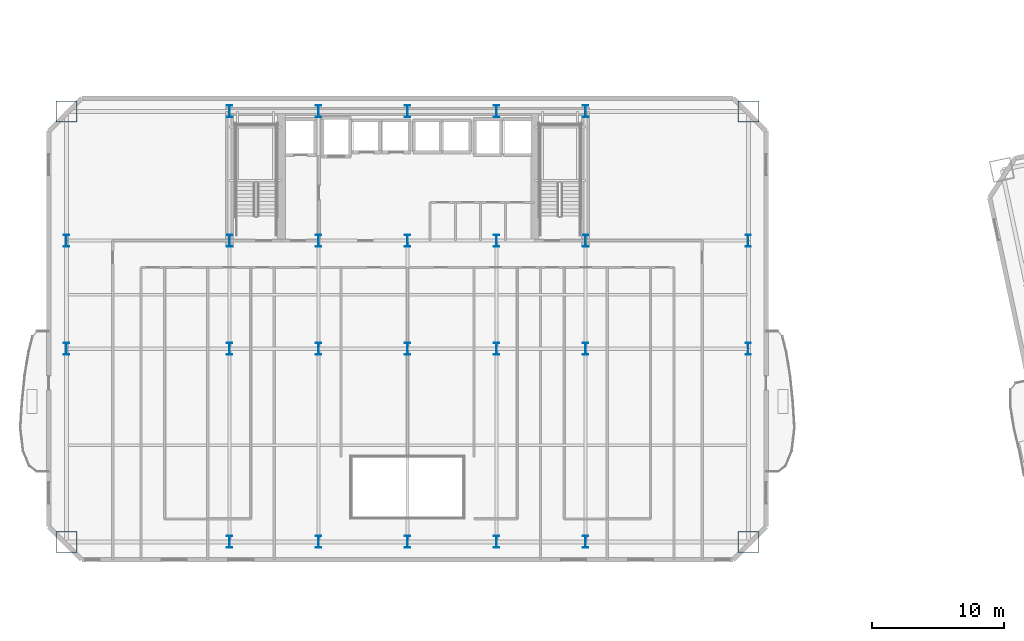
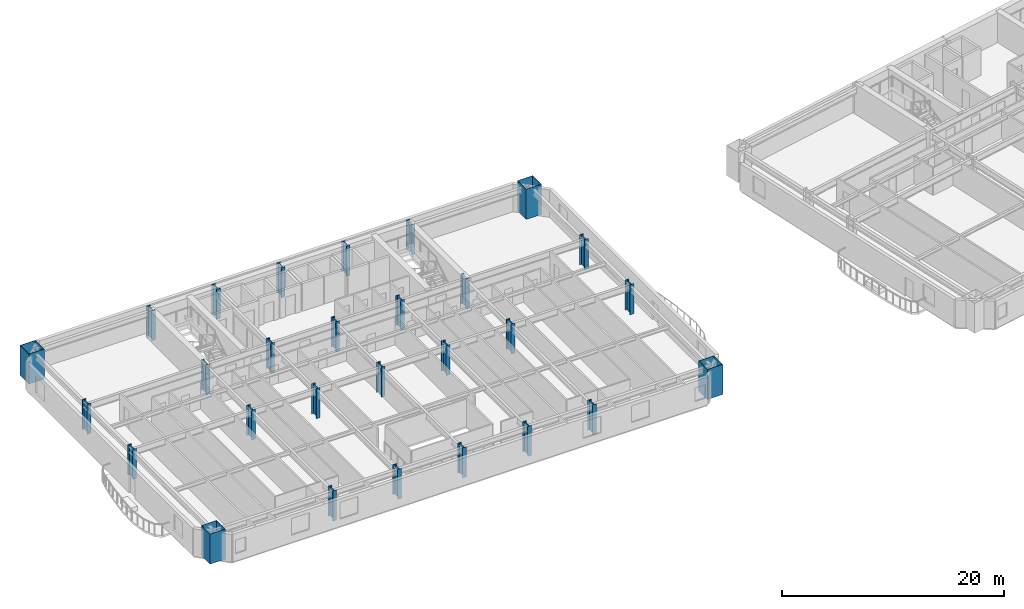
# One storey, part 1 of 17: 28 columns.
"""IFC4 building model written with IfcOpenShell, lengths in metres."""

import ifcopenshell
import ifcopenshell.guid

model = None  # the IFC model being written
_history = None  # IfcOwnerHistory: only IFC2X3 demands one
_inside = {}  # id of a spatial element -> (the spatial element, [elements in it])
_under = {}  # id of a project, library or spatial element -> (it, [spatial elements below it])
_declared = {}  # id of a project -> (the project, [libraries it declares])
_typed = {}  # id of a type object -> (the type object, [elements of that type])
_made_of = {}  # id of a material, layer set ... -> (it, [elements and type objects made of it])


def new_model(schema):
    """Start an empty IFC model of exactly this schema.

    Asked for "IFC4X3", IfcOpenShell would pick the latest addendum, in which some entities
    have other attributes; the version numbers below select the first issue.
    IFC2X3 requires an IfcOwnerHistory on every rooted entity: one is made here for all.
    """
    global model, _history
    if schema == "IFC4X3":
        model = ifcopenshell.file(schema_version=(4, 3, 0, 0))
    else:
        model = ifcopenshell.file(schema=schema)
    _inside.clear()
    _under.clear()
    _declared.clear()
    _typed.clear()
    _made_of.clear()
    _history = None
    if model.schema == "IFC2X3":
        org = make("IfcOrganization", Name="unknown")
        user = make(
            "IfcPersonAndOrganization",
            ThePerson=make("IfcPerson", FamilyName="unknown"),
            TheOrganization=org,
        )
        app = make(
            "IfcApplication",
            ApplicationDeveloper=org,
            Version="unknown",
            ApplicationFullName="unknown",
            ApplicationIdentifier="unknown",
        )
        _history = make(
            "IfcOwnerHistory",
            OwningUser=user,
            OwningApplication=app,
            ChangeAction="ADDED",
            CreationDate=0,
        )
    return model


def make(cls, **values):
    """One entity of the class cls with the attributes given. An attribute that is None is left unset."""
    return model.create_entity(
        cls, **{name: value for name, value in values.items() if value is not None}
    )


def rooted(cls, **values):
    """An entity with a GlobalId (a new one), such as an element, a storey or a relation."""
    return make(cls, GlobalId=ifcopenshell.guid.new(), OwnerHistory=_history, **values)


def si_unit(unit_type, name, prefix=None):
    """IfcSIUnit, for example si_unit("LENGTHUNIT", "METRE", prefix="MILLI")."""
    return make("IfcSIUnit", UnitType=unit_type, Prefix=prefix, Name=name)


def assignment(units):
    """IfcUnitAssignment: the units of a project."""
    return None if units is None else make("IfcUnitAssignment", Units=units)


def point(xyz):
    """IfcCartesianPoint."""
    return None if xyz is None else make("IfcCartesianPoint", Coordinates=xyz)


def direction(xyz):
    """IfcDirection."""
    return None if xyz is None else make("IfcDirection", DirectionRatios=xyz)


def frame(location, z_axis=None, x_axis=None):
    """IfcAxis2Placement3D, a coordinate frame: its origin and axes. An axis left out is left unset."""
    return make(
        "IfcAxis2Placement3D",
        Location=point(location),
        Axis=direction(z_axis),
        RefDirection=direction(x_axis),
    )


def frame_2d(location, x_axis=None):
    """IfcAxis2Placement2D, a coordinate frame in the plane: its origin and x axis."""
    return make(
        "IfcAxis2Placement2D", Location=point(location), RefDirection=direction(x_axis)
    )


def origin():
    """The frame at (0, 0, 0) with its axes left unset."""
    return frame((0.0, 0.0, 0.0))


def origin_2d():
    """The frame at (0, 0) in the plane with its x axis left unset."""
    return frame_2d((0.0, 0.0))


def place(relative_to, where):
    """IfcLocalPlacement: puts the frame where relative to a parent placement (None: the world)."""
    return make(
        "IfcLocalPlacement", PlacementRelTo=relative_to, RelativePlacement=where
    )


def context(
    kind, dimensions, precision=None, world=None, true_north=None, identifier=None
):
    """IfcGeometricRepresentationContext, for example the 3D "Model" context."""
    return make(
        "IfcGeometricRepresentationContext",
        ContextIdentifier=identifier,
        ContextType=kind,
        CoordinateSpaceDimension=dimensions,
        Precision=precision,
        WorldCoordinateSystem=world,
        TrueNorth=true_north,
    )


def subcontext(parent, identifier, kind, view, scale=None):
    """IfcGeometricRepresentationSubContext, for example "Body" below "Model"."""
    return make(
        "IfcGeometricRepresentationSubContext",
        ContextIdentifier=identifier,
        ContextType=kind,
        ParentContext=parent,
        TargetScale=scale,
        TargetView=view,
    )


def project(units=None, contexts=None):
    """IfcProject with its units and contexts."""
    return rooted(
        "IfcProject",
        Name="project",
        RepresentationContexts=contexts,
        UnitsInContext=assignment(units),
    )


def spatial(cls, under=None, at=None, **own):
    """A site, building, storey or space (cls), placed at a placement, below another one or the project."""
    s = rooted(cls, ObjectPlacement=at, **own)
    if under is not None:
        _under.setdefault(under.id(), (under, []))[1].append(s)
    return s


def profile(cls, at=None, kind="AREA", **sizes):
    """A parametric profile (cls). Its sizes go by their IFC names, for example OverallWidth=200.0."""
    return make(cls, ProfileType=kind, Position=at, **sizes)


def hollow_rectangle(**sizes):
    """IfcRectangleHollowProfileDef."""
    return profile("IfcRectangleHollowProfileDef", **sizes)


def i_section(**sizes):
    """IfcIShapeProfileDef."""
    return profile("IfcIShapeProfileDef", **sizes)


def extrude(swept, where, along, depth):
    """IfcExtrudedAreaSolid: the profile swept, set in the frame where, extruded along a direction by depth."""
    return make(
        "IfcExtrudedAreaSolid",
        SweptArea=swept,
        Position=where,
        ExtrudedDirection=direction(along),
        Depth=depth,
    )


def shape(context_of_items, identifier, shape_type, items):
    """IfcShapeRepresentation: the items that make up one representation, for example the "Body"."""
    return make(
        "IfcShapeRepresentation",
        ContextOfItems=context_of_items,
        RepresentationIdentifier=identifier,
        RepresentationType=shape_type,
        Items=items,
    )


def material(Name=None, Category=None):
    """IfcMaterial."""
    return make("IfcMaterial", Name=Name, Category=Category)


def material_profile(
    of_material, cross_section, Name=None, Category=None, Priority=None
):
    """IfcMaterialProfile: a cross section and its material."""
    return make(
        "IfcMaterialProfile",
        Name=Name,
        Material=of_material,
        Profile=cross_section,
        Priority=Priority,
        Category=Category,
    )


def profile_set(profiles, Name=None, composite=None):
    """IfcMaterialProfileSet."""
    return make(
        "IfcMaterialProfileSet",
        Name=Name,
        MaterialProfiles=profiles,
        CompositeProfile=composite,
    )


def made_of(thing, what):
    """Note that an element or type object is made of a material, layer set ...; save() writes the relation."""
    if what is not None:
        _made_of.setdefault(what.id(), (what, []))[1].append(thing)
    return thing


def type_object(cls, material=None, **own):
    """A type object (cls), such as IfcWallType, which elements share."""
    return made_of(rooted(cls, **own), material)


def element(
    cls,
    number,
    at=None,
    inside=None,
    cuts=None,
    type_object=None,
    material=None,
    context=None,
    identifier="Body",
    shape_type=None,
    held_by="IfcProductDefinitionShape",
    body=None,
    shapes=None,
    **own,
):
    """One element of the class cls, such as IfcWall. Its Tag is "e" and its number.

    at: its placement. inside: the storey or other place that contains it. cuts: it is an
    opening in that element (IfcRelVoidsElement). A single representation is given by context,
    identifier, shape_type and body (its items); several are given by shapes. held_by: the class
    of the entity that holds the representations. save() writes the other relations.
    """
    e = rooted(cls, Tag="e%d" % number, ObjectPlacement=at, **own)
    if body is not None:
        shapes = [shape(context, identifier, shape_type, body)]
    if shapes is not None:
        e.Representation = make(held_by, Representations=shapes)
    if inside is not None:
        _inside.setdefault(inside.id(), (inside, []))[1].append(e)
    if cuts is not None:
        rooted(
            "IfcRelVoidsElement", RelatingBuildingElement=cuts, RelatedOpeningElement=e
        )
    if type_object is not None:
        _typed.setdefault(type_object.id(), (type_object, []))[1].append(e)
    return made_of(e, material)


def aggregate(whole, parts):
    """IfcRelAggregates: a whole, such as a stair, and the parts it consists of."""
    return rooted("IfcRelAggregates", RelatingObject=whole, RelatedObjects=parts)


def save(model, path):
    """Write the relations noted so far, then the file.

    IfcRelAggregates (storeys below a building ...), IfcRelContainedInSpatialStructure (elements
    in a storey), IfcRelDefinesByType, IfcRelAssociatesMaterial and IfcRelDeclares: one each for
    every whole, place, type object, material and project.
    """
    for whole, parts in _under.values():
        aggregate(whole, parts)
    for where, things in _inside.values():
        rooted(
            "IfcRelContainedInSpatialStructure",
            RelatedElements=things,
            RelatingStructure=where,
        )
    for kind, things in _typed.values():
        rooted("IfcRelDefinesByType", RelatedObjects=things, RelatingType=kind)
    for what, things in _made_of.values():
        rooted("IfcRelAssociatesMaterial", RelatedObjects=things, RelatingMaterial=what)
    for by, libraries in _declared.values():
        rooted("IfcRelDeclares", RelatingContext=by, RelatedDefinitions=libraries)
    model.write(path)


model = new_model("IFC4")

# Units and contexts
model_context = context("Model", 3, precision=1e-05, world=origin(), true_north=direction((0.0, 1.0)))
body_context = subcontext(model_context, "Body", "Model", "MODEL_VIEW")
ifc_project = project(units=[si_unit("LENGTHUNIT", "METRE"), si_unit("AREAUNIT", "SQUARE_METRE"), si_unit("VOLUMEUNIT", "CUBIC_METRE"), si_unit("PLANEANGLEUNIT", "RADIAN"), si_unit("MASSUNIT", "GRAM", prefix="KILO")], contexts=[model_context])

# Site, building, storey
site_placement = place(None, origin())
site = spatial("IfcSite", under=ifc_project, at=site_placement, CompositionType="ELEMENT")
building_placement = place(site_placement, origin())
building = spatial("IfcBuilding", under=site, at=building_placement, Name="Haevon Station Towers", CompositionType="ELEMENT")
storey_placement = place(building_placement, frame((0.0, 0.0, 37.199951171875)))
storey = spatial("IfcBuildingStorey", under=building, at=storey_placement, Name="L08", CompositionType="ELEMENT", Elevation=37.199951171875)

# Columns
ifc_material = material(Name="Steel S460", Category="steel")
ifc_material_profile_1 = material_profile(ifc_material, hollow_rectangle(XDim=1.60009765625, YDim=1.60009765625, WallThickness=0.0400390625, at=origin_2d()), Name="BOX-1600x1600x40")
ifc_profile_set_1 = profile_set([ifc_material_profile_1], Name="Steel S460")
column_type_1 = type_object("IfcColumnType", Name="COL-MC1", PredefinedType="COLUMN", material=ifc_profile_set_1)
for number, where, z_axis, x_axis, name in (
    (1, (11.64990234375, 15.35009765625, 0.0), (0.0, 0.0, 1.0), (1.0, 0.0, 0.0), "COL-T1-L08-01-01"),
    (2, (11.64990234375, 48.0, 0.0), (0.0, 0.0, 1.0), (1.0, 0.0, 0.0), "COL-T1-L08-01-04"),
    (3, (63.35009765625, 15.35009765625, 0.0), (0.0, 0.0, 1.0), (1.0, 0.0, 0.0), "COL-T1-L08-07-01"),
    (4, (63.35009765625, 48.0, 0.0), (0.0, 0.0, 1.0), (1.0, 0.0, 0.0), "COL-T1-L08-07-04"),
):
    element("IfcColumn", number, at=place(storey_placement, frame(where, z_axis=z_axis, x_axis=x_axis)), inside=storey, type_object=column_type_1, Name=name, PredefinedType="COLUMN", context=body_context, shape_type="SweptSolid", body=[
        extrude(hollow_rectangle(XDim=1.60009765625, YDim=1.60009765625, WallThickness=0.0400390625, at=origin_2d()), origin(), (0.0, 0.0, 1.0), 3.300048828125),
    ])
ifc_material_profile_2 = material_profile(ifc_material, i_section(OverallWidth=0.39990234375, OverallDepth=0.89990234375, WebThickness=0.02001953125, FlangeThickness=0.035888671875, at=origin_2d()), Name="H-900x400x20x36")
ifc_profile_set_2 = profile_set([ifc_material_profile_2], Name="Steel S460")
column_type_2 = type_object("IfcColumnType", Name="COL-TW1", PredefinedType="COLUMN", material=ifc_profile_set_2)
for number, where, z_axis, x_axis, name in (
    (5, (11.64990234375, 30.0, 0.0), (0.0, 0.0, 1.0), (1.0, 0.0, 0.0), "COL-T1-L08-01-02"),
    (6, (11.64990234375, 38.199951171875, 0.0), (0.0, 0.0, 1.0), (1.0, 0.0, 0.0), "COL-T1-L08-01-03"),
    (7, (24.0, 15.35009765625, 0.0), (0.0, 0.0, 1.0), (1.0, 0.0, 0.0), "COL-T1-L08-02-01"),
    (8, (24.0, 30.0, 0.0), (0.0, 0.0, 1.0), (1.0, 0.0, 0.0), "COL-T1-L08-02-02"),
    (9, (24.0, 38.199951171875, 0.0), (0.0, 0.0, 1.0), (1.0, 0.0, 0.0), "COL-T1-L08-02-03"),
    (10, (24.0, 48.0, 0.0), (0.0, 0.0, 1.0), (1.0, 0.0, 0.0), "COL-T1-L08-02-04"),
    (11, (30.75, 15.35009765625, 0.0), (0.0, 0.0, 1.0), (1.0, 0.0, 0.0), "COL-T1-L08-03-01"),
    (12, (30.75, 30.0, 0.0), (0.0, 0.0, 1.0), (1.0, 0.0, 0.0), "COL-T1-L08-03-02"),
    (13, (30.75, 38.199951171875, 0.0), (0.0, 0.0, 1.0), (1.0, 0.0, 0.0), "COL-T1-L08-03-03"),
    (14, (30.75, 48.0, 0.0), (0.0, 0.0, 1.0), (1.0, 0.0, 0.0), "COL-T1-L08-03-04"),
    (15, (37.5, 15.35009765625, 0.0), (0.0, 0.0, 1.0), (1.0, 0.0, 0.0), "COL-T1-L08-04-01"),
    (16, (37.5, 30.0, 0.0), (0.0, 0.0, 1.0), (1.0, 0.0, 0.0), "COL-T1-L08-04-02"),
    (17, (37.5, 38.199951171875, 0.0), (0.0, 0.0, 1.0), (1.0, 0.0, 0.0), "COL-T1-L08-04-03"),
    (18, (37.5, 48.0, 0.0), (0.0, 0.0, 1.0), (1.0, 0.0, 0.0), "COL-T1-L08-04-04"),
    (19, (44.25, 15.35009765625, 0.0), (0.0, 0.0, 1.0), (1.0, 0.0, 0.0), "COL-T1-L08-05-01"),
    (20, (44.25, 30.0, 0.0), (0.0, 0.0, 1.0), (1.0, 0.0, 0.0), "COL-T1-L08-05-02"),
    (21, (44.25, 38.199951171875, 0.0), (0.0, 0.0, 1.0), (1.0, 0.0, 0.0), "COL-T1-L08-05-03"),
    (22, (44.25, 48.0, 0.0), (0.0, 0.0, 1.0), (1.0, 0.0, 0.0), "COL-T1-L08-05-04"),
    (23, (51.0, 15.35009765625, 0.0), (0.0, 0.0, 1.0), (1.0, 0.0, 0.0), "COL-T1-L08-06-01"),
    (24, (51.0, 30.0, 0.0), (0.0, 0.0, 1.0), (1.0, 0.0, 0.0), "COL-T1-L08-06-02"),
    (25, (51.0, 38.199951171875, 0.0), (0.0, 0.0, 1.0), (1.0, 0.0, 0.0), "COL-T1-L08-06-03"),
    (26, (51.0, 48.0, 0.0), (0.0, 0.0, 1.0), (1.0, 0.0, 0.0), "COL-T1-L08-06-04"),
    (27, (63.35009765625, 30.0, 0.0), (0.0, 0.0, 1.0), (1.0, 0.0, 0.0), "COL-T1-L08-07-02"),
    (28, (63.35009765625, 38.199951171875, 0.0), (0.0, 0.0, 1.0), (1.0, 0.0, 0.0), "COL-T1-L08-07-03"),
):
    element("IfcColumn", number, at=place(storey_placement, frame(where, z_axis=z_axis, x_axis=x_axis)), inside=storey, type_object=column_type_2, Name=name, PredefinedType="COLUMN", context=body_context, shape_type="SweptSolid", body=[
        extrude(i_section(OverallWidth=0.39990234375, OverallDepth=0.89990234375, WebThickness=0.02001953125, FlangeThickness=0.035888671875, at=origin_2d()), origin(), (0.0, 0.0, 1.0), 3.300048828125),
    ])

save(model, "model.ifc")
